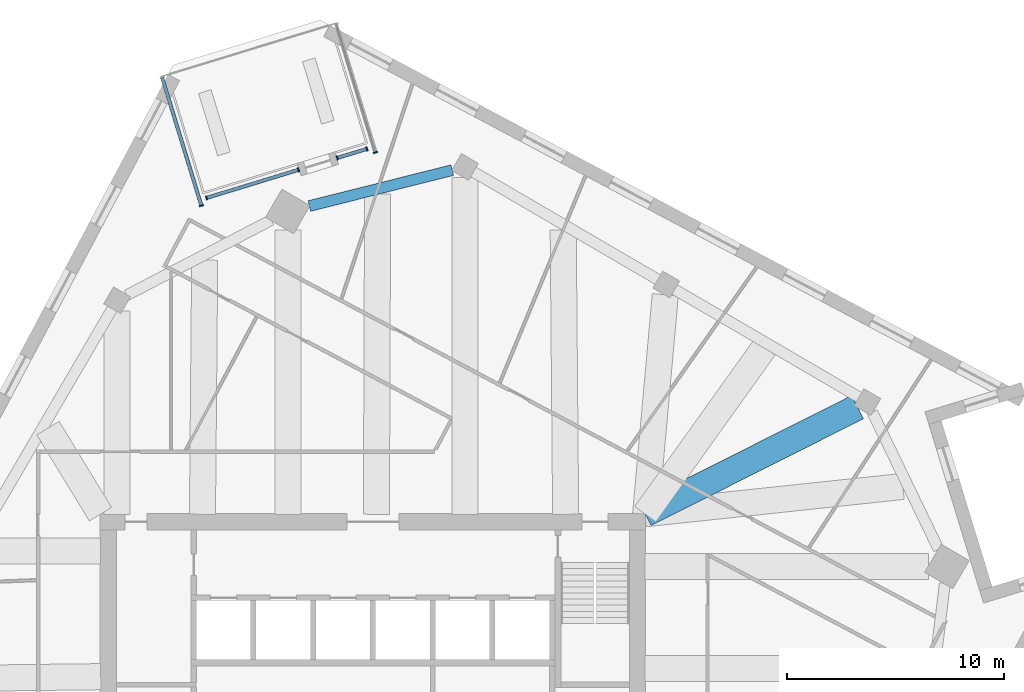
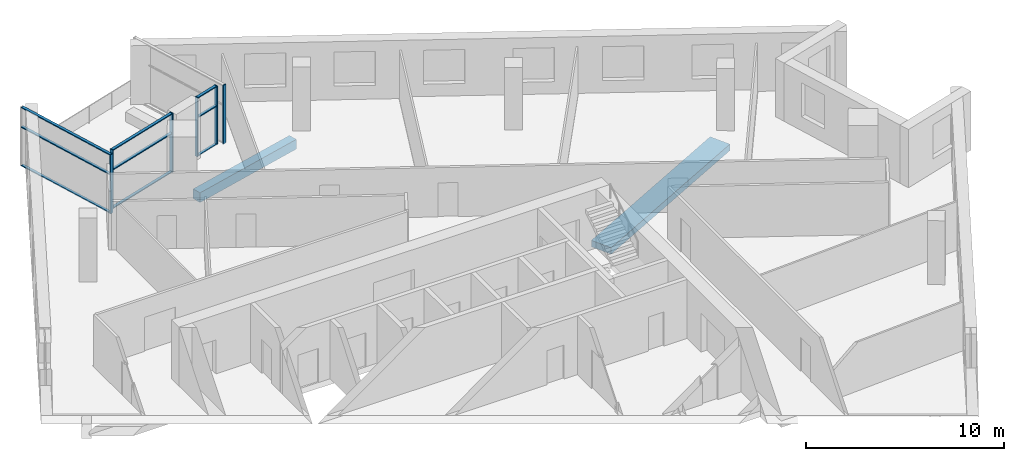
# One storey, part 2 of 13: 15 members, 2 beams, 4 elements without a shape of their own.
"""IFC4 building model written with IfcOpenShell, lengths in metres."""

from ifc_helpers import new_model, si_unit, direction, frame, origin, origin_2d, place, context, subcontext, project, spatial, rectangle, extrude, material, material_profile, profile_set, type_object, element, aggregate, save


model = new_model("IFC4")

# Units and contexts
model_context = context("Model", 3, precision=1e-05, world=origin(), true_north=direction((0.0, 1.0)))
body_context = subcontext(model_context, "Body", "Model", "MODEL_VIEW")
ifc_project = project(units=[si_unit("LENGTHUNIT", "METRE"), si_unit("AREAUNIT", "SQUARE_METRE"), si_unit("VOLUMEUNIT", "CUBIC_METRE"), si_unit("PLANEANGLEUNIT", "RADIAN"), si_unit("MASSUNIT", "GRAM", prefix="KILO")], contexts=[model_context])

# Site, building, storey
site_placement = place(None, origin())
site = spatial("IfcSite", under=ifc_project, at=site_placement, CompositionType="ELEMENT")
building_placement = place(site_placement, origin())
building = spatial("IfcBuilding", under=site, at=building_placement, Name="Dilmun Exchange Tower", CompositionType="ELEMENT")
storey_placement = place(building_placement, frame((0.0, 0.0, 274.89990234375)))
storey = spatial("IfcBuildingStorey", under=building, at=storey_placement, Name="L65", CompositionType="ELEMENT", Elevation=274.89990234375)

# Curtain wall, member
ifc_material_1 = material(Name="Anodised aluminium and clear glass", Category="aluminium")
curtain_wall_type = type_object("IfcCurtainWallType", Name="Garden corner glazing", PredefinedType="NOTDEFINED", material=ifc_material_1)
curtain_wall_1_placement = place(storey_placement, origin())
curtain_wall_1 = element("IfcCurtainWall", 1, at=curtain_wall_1_placement, inside=storey, type_object=curtain_wall_type, Name="Garden corner glazing run GC1.1", PredefinedType="NOTDEFINED")
ifc_material_2 = material(Name="Anodised aluminium", Category="aluminium")
ifc_material_profile_1 = material_profile(ifc_material_2, rectangle(XDim=0.199951171875, YDim=0.06005859375, at=origin_2d()), Name="AL 60x200")
ifc_profile_set_1 = profile_set([ifc_material_profile_1], Name="Anodised aluminium")
member_type_1 = type_object("IfcMemberType", Name="Garden corner glazing mullion 60 x 200", PredefinedType="MULLION", material=ifc_profile_set_1)
member_1_placement = place(storey_placement, frame((0.118896484375, 29.17578125, 0.0), z_axis=(0.0, 0.0, 1.0), x_axis=(0.956303960364, 0.292374306997, 0.0)))
member_1 = element("IfcMember", 2, at=member_1_placement, type_object=member_type_1, Name="GC1.1 mullion 2", PredefinedType="MULLION", context=body_context, shape_type="SweptSolid", body=[
    extrude(rectangle(XDim=0.199951171875, YDim=0.06005859375, at=origin_2d()), origin(), (0.0, 0.0, 1.0), 3.64013671875),
])
aggregate(curtain_wall_1, [member_1])

# Curtain wall, members
curtain_wall_2_placement = place(storey_placement, origin())
curtain_wall_2 = element("IfcCurtainWall", 3, at=curtain_wall_2_placement, inside=storey, type_object=curtain_wall_type, Name="Garden corner glazing run GC2.1", PredefinedType="NOTDEFINED")
member_2_placement = place(storey_placement, frame((-0.275634765625, 29.33740234375, 0.0), z_axis=(0.0, 0.0, 1.0), x_axis=(0.29239596952, -0.956297337133, 0.0)))
member_2 = element("IfcMember", 4, at=member_2_placement, type_object=member_type_1, Name="GC2.1 mullion 1", PredefinedType="MULLION", context=body_context, shape_type="SweptSolid", body=[
    extrude(rectangle(XDim=0.199951171875, YDim=0.06005859375, at=origin_2d()), origin(), (0.0, 0.0, 1.0), 3.64013671875),
])
member_3_placement = place(storey_placement, frame((-1.64208984375, 28.919677734375, 0.0), z_axis=(0.0, 0.0, 1.0), x_axis=(0.29239596952, -0.956297337133, 0.0)))
member_3 = element("IfcMember", 5, at=member_3_placement, type_object=member_type_1, Name="GC2.1 mullion 2", PredefinedType="MULLION", context=body_context, shape_type="SweptSolid", body=[
    extrude(rectangle(XDim=0.199951171875, YDim=0.06005859375, at=origin_2d()), origin(), (0.0, 0.0, 1.0), 3.64013671875),
])

curtain_wall_3_placement = place(storey_placement, origin())
curtain_wall_3 = element("IfcCurtainWall", 6, at=curtain_wall_3_placement, inside=storey, type_object=curtain_wall_type, Name="Garden corner glazing run GC2.3", PredefinedType="NOTDEFINED")
member_4_placement = place(storey_placement, frame((-3.4208984375, 28.375732421875, 0.0), z_axis=(0.0, 0.0, 1.0), x_axis=(0.292377563258, -0.956302964809, 0.0)))
member_4 = element("IfcMember", 7, at=member_4_placement, type_object=member_type_1, Name="GC2.3 mullion 1", PredefinedType="MULLION", context=body_context, shape_type="SweptSolid", body=[
    extrude(rectangle(XDim=0.199951171875, YDim=0.06005859375, at=origin_2d()), origin(), (0.0, 0.0, 1.0), 3.64013671875),
])
member_5_placement = place(storey_placement, frame((-7.656494140625, 27.080810546875, 0.0), z_axis=(0.0, 0.0, 1.0), x_axis=(0.292377563258, -0.956302964809, 0.0)))
member_5 = element("IfcMember", 8, at=member_5_placement, type_object=member_type_1, Name="GC2.3 mullion 2", PredefinedType="MULLION", context=body_context, shape_type="SweptSolid", body=[
    extrude(rectangle(XDim=0.199951171875, YDim=0.06005859375, at=origin_2d()), origin(), (0.0, 0.0, 1.0), 3.64013671875),
])

# Curtain wall, member
curtain_wall_4_placement = place(storey_placement, origin())
curtain_wall_4 = element("IfcCurtainWall", 9, at=curtain_wall_4_placement, inside=storey, type_object=curtain_wall_type, Name="Garden corner glazing run GC3.1", PredefinedType="NOTDEFINED")
member_6_placement = place(storey_placement, frame((-7.89306640625, 26.72607421875, 0.0), z_axis=(0.0, 0.0, 1.0), x_axis=(-0.956303960364, -0.292374306997, 0.0)))
member_6 = element("IfcMember", 10, at=member_6_placement, type_object=member_type_1, Name="GC3.1 mullion 1", PredefinedType="MULLION", context=body_context, shape_type="SweptSolid", body=[
    extrude(rectangle(XDim=0.199951171875, YDim=0.06005859375, at=origin_2d()), origin(), (0.0, 0.0, 1.0), 3.64013671875),
])

# Member
ifc_material_profile_2 = material_profile(ifc_material_2, rectangle(XDim=0.159912109375, YDim=0.06005859375, at=origin_2d()), Name="AL 60x160")
ifc_profile_set_2 = profile_set([ifc_material_profile_2], Name="Anodised aluminium")
member_type_2 = type_object("IfcMemberType", Name="Garden corner glazing transom 60 x 160", PredefinedType="USERDEFINED", material=ifc_profile_set_2)
member_7_placement = place(storey_placement, frame((-0.30419921875, 29.32861328125, 0.030029296875), z_axis=(-0.956286489319, -0.29243144555, 0.0), x_axis=(0.29243144555, -0.956286489319, 0.0)))
member_7 = element("IfcMember", 11, at=member_7_placement, type_object=member_type_2, Name="GC2.1 transom 1.1", ObjectType="TRANSOM", PredefinedType="USERDEFINED", context=body_context, shape_type="SweptSolid", body=[
    extrude(rectangle(XDim=0.159912109375, YDim=0.06005859375, at=origin_2d()), origin(), (0.0, 0.0, 1.0), 1.369140625),
])

member_8_placement = place(storey_placement, frame((-0.30419921875, 29.32861328125, 2.400146484375), z_axis=(-0.956286489319, -0.29243144555, 0.0), x_axis=(0.29243144555, -0.956286489319, 0.0)))
member_8 = element("IfcMember", 12, at=member_8_placement, type_object=member_type_2, Name="GC2.1 transom 1.2", ObjectType="TRANSOM", PredefinedType="USERDEFINED", context=body_context, shape_type="SweptSolid", body=[
    extrude(rectangle(XDim=0.159912109375, YDim=0.06005859375, at=origin_2d()), origin(), (0.0, 0.0, 1.0), 1.369140625),
])

member_9_placement = place(storey_placement, frame((-0.30419921875, 29.32861328125, 3.610107421875), z_axis=(-0.956286489319, -0.29243144555, 0.0), x_axis=(0.29243144555, -0.956286489319, 0.0)))
member_9 = element("IfcMember", 13, at=member_9_placement, type_object=member_type_2, Name="GC2.1 transom 1.3", ObjectType="TRANSOM", PredefinedType="USERDEFINED", context=body_context, shape_type="SweptSolid", body=[
    extrude(rectangle(XDim=0.159912109375, YDim=0.06005859375, at=origin_2d()), origin(), (0.0, 0.0, 1.0), 1.369140625),
])

aggregate(curtain_wall_2, [member_2, member_3, member_7, member_8, member_9])

member_10_placement = place(storey_placement, frame((-3.44970703125, 28.366943359375, 0.030029296875), z_axis=(-0.956309050487, -0.292357657599, 0.0), x_axis=(0.292357657599, -0.956309050487, 0.0)))
member_10 = element("IfcMember", 14, at=member_10_placement, type_object=member_type_2, Name="GC2.3 transom 1.1", ObjectType="TRANSOM", PredefinedType="USERDEFINED", context=body_context, shape_type="SweptSolid", body=[
    extrude(rectangle(XDim=0.159912109375, YDim=0.06005859375, at=origin_2d()), origin(), (0.0, 0.0, 1.0), 4.369140625),
])

member_11_placement = place(storey_placement, frame((-3.44970703125, 28.366943359375, 2.400146484375), z_axis=(-0.956309050487, -0.292357657599, 0.0), x_axis=(0.292357657599, -0.956309050487, 0.0)))
member_11 = element("IfcMember", 15, at=member_11_placement, type_object=member_type_2, Name="GC2.3 transom 1.2", ObjectType="TRANSOM", PredefinedType="USERDEFINED", context=body_context, shape_type="SweptSolid", body=[
    extrude(rectangle(XDim=0.159912109375, YDim=0.06005859375, at=origin_2d()), origin(), (0.0, 0.0, 1.0), 4.369140625),
])

member_12_placement = place(storey_placement, frame((-3.44970703125, 28.366943359375, 3.610107421875), z_axis=(-0.956309050487, -0.292357657599, 0.0), x_axis=(0.292357657599, -0.956309050487, 0.0)))
member_12 = element("IfcMember", 16, at=member_12_placement, type_object=member_type_2, Name="GC2.3 transom 1.3", ObjectType="TRANSOM", PredefinedType="USERDEFINED", context=body_context, shape_type="SweptSolid", body=[
    extrude(rectangle(XDim=0.159912109375, YDim=0.06005859375, at=origin_2d()), origin(), (0.0, 0.0, 1.0), 4.369140625),
])

aggregate(curtain_wall_3, [member_4, member_5, member_10, member_11, member_12])

member_13_placement = place(storey_placement, frame((-7.90185546875, 26.7548828125, 0.030029296875), z_axis=(-0.292385584046, 0.956300512518, 0.0), x_axis=(-0.956300512518, -0.292385584046, 0.0)))
member_13 = element("IfcMember", 17, at=member_13_placement, type_object=member_type_2, Name="GC3.1 transom 1.1", ObjectType="TRANSOM", PredefinedType="USERDEFINED", context=body_context, shape_type="SweptSolid", body=[
    extrude(rectangle(XDim=0.159912109375, YDim=0.06005859375, at=origin_2d()), origin(), (0.0, 0.0, 1.0), 6.12646484375),
])

member_14_placement = place(storey_placement, frame((-7.90185546875, 26.7548828125, 2.400146484375), z_axis=(-0.292385584046, 0.956300512518, 0.0), x_axis=(-0.956300512518, -0.292385584046, 0.0)))
member_14 = element("IfcMember", 18, at=member_14_placement, type_object=member_type_2, Name="GC3.1 transom 1.2", ObjectType="TRANSOM", PredefinedType="USERDEFINED", context=body_context, shape_type="SweptSolid", body=[
    extrude(rectangle(XDim=0.159912109375, YDim=0.06005859375, at=origin_2d()), origin(), (0.0, 0.0, 1.0), 6.12646484375),
])

member_15_placement = place(storey_placement, frame((-7.90185546875, 26.7548828125, 3.610107421875), z_axis=(-0.292385584046, 0.956300512518, 0.0), x_axis=(-0.956300512518, -0.292385584046, 0.0)))
member_15 = element("IfcMember", 19, at=member_15_placement, type_object=member_type_2, Name="GC3.1 transom 1.3", ObjectType="TRANSOM", PredefinedType="USERDEFINED", context=body_context, shape_type="SweptSolid", body=[
    extrude(rectangle(XDim=0.159912109375, YDim=0.06005859375, at=origin_2d()), origin(), (0.0, 0.0, 1.0), 6.12646484375),
])

aggregate(curtain_wall_4, [member_6, member_13, member_14, member_15])

# Beams
ifc_material_3 = material(Name="Concrete C40/50", Category="concrete")
ifc_material_profile_3 = material_profile(ifc_material_3, rectangle(XDim=1.199951171875, YDim=0.39990234375, at=origin_2d()), Name="1200 x 400")
ifc_profile_set_3 = profile_set([ifc_material_profile_3], Name="Concrete C40/50")
beam_type_1 = type_object("IfcBeamType", Name="RC band beam 1200 x 400 C40/50", PredefinedType="BEAM", material=ifc_profile_set_3)
beam_1_placement = place(storey_placement, frame((22.302734375, 17.453125, -0.659912109375), z_axis=(-0.893443377394, -0.449175835716, 0.0), x_axis=(0.449175835716, -0.893443377394, 0.0)))
element("IfcBeam", 20, at=beam_1_placement, inside=storey, type_object=beam_type_1, Name="Band beam 14", PredefinedType="BEAM", context=body_context, shape_type="SweptSolid", body=[
    extrude(rectangle(XDim=1.199951171875, YDim=0.39990234375, at=origin_2d()), origin(), (0.0, 0.0, 1.0), 10.94287109375),
])
ifc_material_profile_4 = material_profile(ifc_material_3, rectangle(XDim=0.5, YDim=0.60009765625, at=origin_2d()), Name="500 x 600")
ifc_profile_set_4 = profile_set([ifc_material_profile_4], Name="Concrete C40/50")
beam_type_2 = type_object("IfcBeamType", Name="RC ring beam 500 x 600 C40/50", PredefinedType="SPANDREL", material=ifc_profile_set_4)
beam_2_placement = place(storey_placement, frame((3.6552734375, 28.359130859375, -0.659912109375), z_axis=(-0.969853854997, -0.243687299522, 0.0), x_axis=(0.243687299522, -0.969853854997, 0.0)))
element("IfcBeam", 21, at=beam_2_placement, inside=storey, type_object=beam_type_2, Name="Ring beam 16", PredefinedType="SPANDREL", context=body_context, shape_type="SweptSolid", body=[
    extrude(rectangle(XDim=0.5, YDim=0.60009765625, at=origin_2d()), origin(), (0.0, 0.0, 1.0), 6.78271484375),
])

save(model, "model.ifc")
